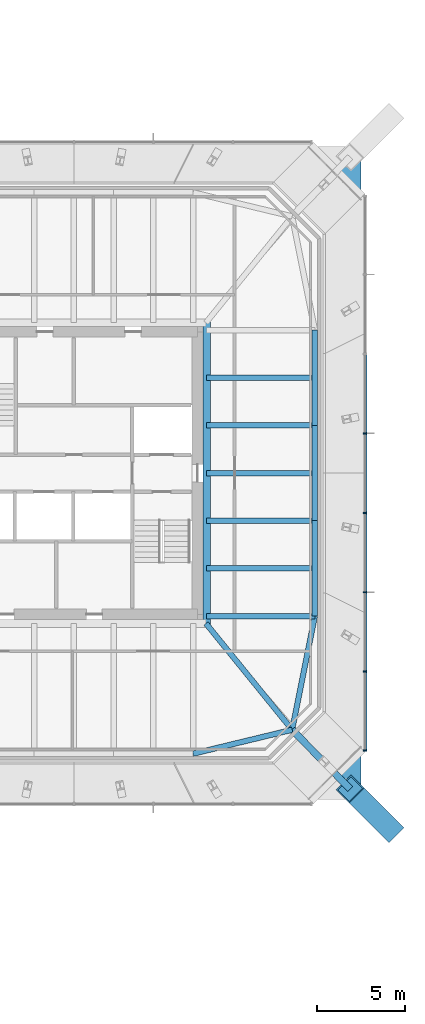
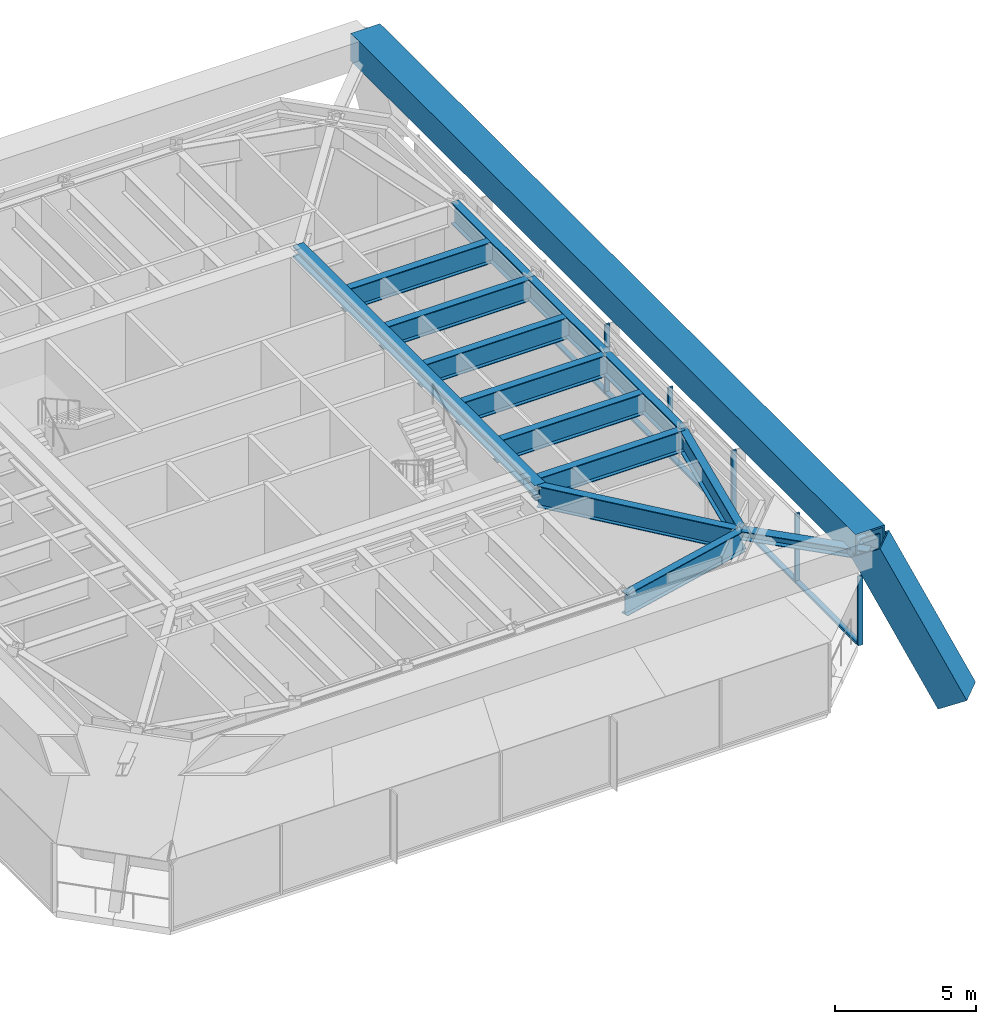
# One storey, part 6 of 16: 13 beams, 13 members, 1 element without a shape of its own.
"""IFC4 building model written with IfcOpenShell, lengths in metres."""

from ifc_helpers import new_model, si_unit, direction, frame, origin, origin_2d, place, context, subcontext, project, spatial, rectangle, hollow_rectangle, i_section, extrude, material, material_profile, profile_set, type_object, element, aggregate, save


model = new_model("IFC4")

# Units and contexts
model_context = context("Model", 3, precision=1e-05, world=origin(), true_north=direction((0.0, 1.0)))
body_context = subcontext(model_context, "Body", "Model", "MODEL_VIEW")
ifc_project = project(units=[si_unit("LENGTHUNIT", "METRE"), si_unit("AREAUNIT", "SQUARE_METRE"), si_unit("VOLUMEUNIT", "CUBIC_METRE"), si_unit("PLANEANGLEUNIT", "RADIAN"), si_unit("MASSUNIT", "GRAM", prefix="KILO")], contexts=[model_context])

# Site, building, storey
site_placement = place(None, origin())
site = spatial("IfcSite", under=ifc_project, at=site_placement, CompositionType="ELEMENT")
building_placement = place(site_placement, origin())
building = spatial("IfcBuilding", under=site, at=building_placement, Name="Iwan Alto Co-Living Towers", CompositionType="ELEMENT")
storey_placement = place(building_placement, frame((0.0, 0.0, 74.5)))
storey = spatial("IfcBuildingStorey", under=building, at=storey_placement, Name="L20", CompositionType="ELEMENT", Elevation=74.5)

# Curtain wall, members
ifc_material_1 = material(Name="Bronze aluminium unitised frame", Category="aluminium")
curtain_wall_type = type_object("IfcCurtainWallType", Name="CURTAIN WALL CW-C", PredefinedType="NOTDEFINED", material=ifc_material_1)
curtain_wall_placement = place(storey_placement, origin())
curtain_wall = element("IfcCurtainWall", 1, at=curtain_wall_placement, inside=storey, type_object=curtain_wall_type, Name="T2 curtain wall E L20", PredefinedType="NOTDEFINED")
ifc_material_2 = material(Name="Aluminium 6063-T6 bronze anodised", Category="aluminium")
ifc_material_profile_1 = material_profile(ifc_material_2, rectangle(XDim=0.199951171875, YDim=0.080078125, at=origin_2d()), Name="AL 80X200")
ifc_profile_set_1 = profile_set([ifc_material_profile_1], Name="Aluminium 6063-T6 bronze anodised")
member_type_1 = type_object("IfcMemberType", Name="CW-C MULLION 80X200", PredefinedType="MULLION", material=ifc_profile_set_1)
member_1_placement = place(storey_placement, frame((79.5, -15.7099609375, 0.0), z_axis=(0.0, 0.0, 1.0), x_axis=(-1.0, 0.0, 0.0)))
member_1 = element("IfcMember", 2, at=member_1_placement, type_object=member_type_1, Name="CW-C mullion 1", PredefinedType="MULLION", context=body_context, shape_type="SweptSolid", body=[
    extrude(rectangle(XDim=0.199951171875, YDim=0.080078125, at=origin_2d()), origin(), (0.0, 0.0, 1.0), 3.0),
])
member_2_placement = place(storey_placement, frame((79.5, -11.25, 0.0), z_axis=(0.0, 0.0, 1.0), x_axis=(-1.0, 0.0, 0.0)))
member_2 = element("IfcMember", 3, at=member_2_placement, type_object=member_type_1, Name="CW-C mullion 2", PredefinedType="MULLION", context=body_context, shape_type="SweptSolid", body=[
    extrude(rectangle(XDim=0.199951171875, YDim=0.080078125, at=origin_2d()), origin(), (0.0, 0.0, 1.0), 3.0),
])
member_3_placement = place(storey_placement, frame((79.5, -6.75, 0.0), z_axis=(0.0, 0.0, 1.0), x_axis=(-1.0, 0.0, 0.0)))
member_3 = element("IfcMember", 4, at=member_3_placement, type_object=member_type_1, Name="CW-C mullion 3", PredefinedType="MULLION", context=body_context, shape_type="SweptSolid", body=[
    extrude(rectangle(XDim=0.199951171875, YDim=0.080078125, at=origin_2d()), origin(), (0.0, 0.0, 1.0), 3.0),
])
member_4_placement = place(storey_placement, frame((79.5, -2.25, 0.0), z_axis=(0.0, 0.0, 1.0), x_axis=(-1.0, 0.0, 0.0)))
member_4 = element("IfcMember", 5, at=member_4_placement, type_object=member_type_1, Name="CW-C mullion 4", PredefinedType="MULLION", context=body_context, shape_type="SweptSolid", body=[
    extrude(rectangle(XDim=0.199951171875, YDim=0.080078125, at=origin_2d()), origin(), (0.0, 0.0, 1.0), 3.0),
])
member_5_placement = place(storey_placement, frame((79.5, 2.25, 0.0), z_axis=(0.0, 0.0, 1.0), x_axis=(-1.0, 0.0, 0.0)))
member_5 = element("IfcMember", 6, at=member_5_placement, type_object=member_type_1, Name="CW-C mullion 5", PredefinedType="MULLION", context=body_context, shape_type="SweptSolid", body=[
    extrude(rectangle(XDim=0.199951171875, YDim=0.080078125, at=origin_2d()), origin(), (0.0, 0.0, 1.0), 3.0),
])
ifc_material_3 = material(Name="Aluminium 6063-T6 bronze anodised", Category="aluminium")
ifc_material_profile_2 = material_profile(ifc_material_3, rectangle(XDim=0.199951171875, YDim=0.10009765625, at=origin_2d()), Name="AL 200X100")
ifc_profile_set_2 = profile_set([ifc_material_profile_2], Name="Aluminium 6063-T6 bronze anodised")
member_type_2 = type_object("IfcMemberType", Name="CW-C TRANSOM 200X100", PredefinedType="USERDEFINED", material=ifc_profile_set_2)
member_6_placement = place(storey_placement, frame((79.5, -15.669921875, 0.050048828125), z_axis=(0.0, 1.0, 0.0), x_axis=(-1.0, 0.0, 0.0)))
member_6 = element("IfcMember", 7, at=member_6_placement, type_object=member_type_2, Name="CW-C transom 1.1", ObjectType="TRANSOM", PredefinedType="USERDEFINED", context=body_context, shape_type="SweptSolid", body=[
    extrude(rectangle(XDim=0.199951171875, YDim=0.10009765625, at=origin_2d()), origin(), (0.0, 0.0, 1.0), 4.3798828125),
])
member_7_placement = place(storey_placement, frame((79.5, -11.2099609375, 0.050048828125), z_axis=(0.0, 1.0, 0.0), x_axis=(-1.0, 0.0, 0.0)))
member_7 = element("IfcMember", 8, at=member_7_placement, type_object=member_type_2, Name="CW-C transom 2.1", ObjectType="TRANSOM", PredefinedType="USERDEFINED", context=body_context, shape_type="SweptSolid", body=[
    extrude(rectangle(XDim=0.199951171875, YDim=0.10009765625, at=origin_2d()), origin(), (0.0, 0.0, 1.0), 4.419921875),
])
member_8_placement = place(storey_placement, frame((79.5, -6.7099609375, 0.050048828125), z_axis=(0.0, 1.0, 0.0), x_axis=(-1.0, 0.0, 0.0)))
member_8 = element("IfcMember", 9, at=member_8_placement, type_object=member_type_2, Name="CW-C transom 3.1", ObjectType="TRANSOM", PredefinedType="USERDEFINED", context=body_context, shape_type="SweptSolid", body=[
    extrude(rectangle(XDim=0.199951171875, YDim=0.10009765625, at=origin_2d()), origin(), (0.0, 0.0, 1.0), 4.419921875),
])
member_9_placement = place(storey_placement, frame((79.5, -2.2099609375, 0.050048828125), z_axis=(0.0, 1.0, 0.0), x_axis=(-1.0, 0.0, 0.0)))
member_9 = element("IfcMember", 10, at=member_9_placement, type_object=member_type_2, Name="CW-C transom 4.1", ObjectType="TRANSOM", PredefinedType="USERDEFINED", context=body_context, shape_type="SweptSolid", body=[
    extrude(rectangle(XDim=0.199951171875, YDim=0.10009765625, at=origin_2d()), origin(), (0.0, 0.0, 1.0), 4.419921875),
])
member_10_placement = place(storey_placement, frame((79.5, 2.2900390625, 0.050048828125), z_axis=(0.0, 1.0, 0.0), x_axis=(-1.0, 0.0, 0.0)))
member_10 = element("IfcMember", 11, at=member_10_placement, type_object=member_type_2, Name="CW-C transom 5.1", ObjectType="TRANSOM", PredefinedType="USERDEFINED", context=body_context, shape_type="SweptSolid", body=[
    extrude(rectangle(XDim=0.199951171875, YDim=0.10009765625, at=origin_2d()), origin(), (0.0, 0.0, 1.0), 4.419921875),
])
aggregate(curtain_wall, [member_1, member_2, member_3, member_4, member_5, member_6, member_7, member_8, member_9, member_10])

# Beams
ifc_material_4 = material(Name="Steel ASTM A992 Gr 50", Category="steel")
ifc_material_profile_3 = material_profile(ifc_material_4, i_section(OverallWidth=0.436767578125, OverallDepth=0.51318359375, WebThickness=0.060546875, FlangeThickness=0.096923828125, at=origin_2d()), Name="W14X550")
ifc_profile_set_3 = profile_set([ifc_material_profile_3], Name="Steel ASTM A992 Gr 50")
beam_type_1 = type_object("IfcBeamType", Name="T2 CORE LEDGER BEAM W14X550", PredefinedType="BEAM", material=ifc_profile_set_3)
beam_1_placement = place(storey_placement, frame((70.5185546875, -8.5693359375, 5.513427734375), z_axis=(0.0, 1.0, 0.0), x_axis=(-1.0, 0.0, 0.0)))
element("IfcBeam", 12, at=beam_1_placement, inside=storey, type_object=beam_type_1, Name="T2 core ledger beam E L21", PredefinedType="BEAM", context=body_context, shape_type="SweptSolid", body=[
    extrude(i_section(OverallWidth=0.436767578125, OverallDepth=0.51318359375, WebThickness=0.060546875, FlangeThickness=0.096923828125, at=origin_2d()), origin(), (0.0, 0.0, 1.0), 17.138671875),
])
ifc_material_5 = material(Name="Steel ASTM A992 Gr 50", Category="steel")
ifc_material_profile_4 = material_profile(ifc_material_5, i_section(OverallWidth=0.307373046875, OverallDepth=0.927001953125, WebThickness=0.01953125, FlangeThickness=0.031982421875, at=origin_2d()), Name="W36X194")
ifc_profile_set_4 = profile_set([ifc_material_profile_4], Name="Steel ASTM A992 Gr 50")
beam_type_2 = type_object("IfcBeamType", Name="T2 CORNER GIRDER W36X194", PredefinedType="BEAM", material=ifc_profile_set_4)
beam_2_placement = place(storey_placement, frame((75.361328125, -14.542724609375, 5.306396484375), z_axis=(-0.629787584927, 0.776767402683, 0.0), x_axis=(-0.776767402683, -0.629787584927, 0.0)))
element("IfcBeam", 13, at=beam_2_placement, inside=storey, type_object=beam_type_2, Name="T2 corner girder CSE L21", PredefinedType="BEAM", context=body_context, shape_type="SweptSolid", body=[
    extrude(i_section(OverallWidth=0.307373046875, OverallDepth=0.927001953125, WebThickness=0.01953125, FlangeThickness=0.031982421875, at=origin_2d()), origin(), (0.0, 0.0, 1.0), 7.75537109375),
])
ifc_material_6 = material(Name="Steel ASTM A992 Gr 50", Category="steel")
ifc_material_profile_5 = material_profile(ifc_material_6, i_section(OverallWidth=0.307373046875, OverallDepth=0.927001953125, WebThickness=0.01953125, FlangeThickness=0.031982421875, at=origin_2d()), Name="W36X194")
ifc_profile_set_5 = profile_set([ifc_material_profile_5], Name="Steel ASTM A992 Gr 50")
beam_type_3 = type_object("IfcBeamType", Name="T2 EDGE BEAM W36X194", PredefinedType="BEAM", material=ifc_profile_set_5)
beam_3_placement = place(storey_placement, frame((69.75, -15.89990234375, 5.306396484375), z_axis=(0.971974673138, 0.235085590323, 0.0), x_axis=(-0.235085590323, 0.971974673138, 0.0)))
element("IfcBeam", 14, at=beam_3_placement, inside=storey, type_object=beam_type_3, Name="T2 edge beam S4 L21", PredefinedType="BEAM", context=body_context, shape_type="SweptSolid", body=[
    extrude(i_section(OverallWidth=0.307373046875, OverallDepth=0.927001953125, WebThickness=0.01953125, FlangeThickness=0.031982421875, at=origin_2d()), origin(), (0.0, 0.0, 1.0), 5.773193359375),
])
beam_4_placement = place(storey_placement, frame((75.361328125, -14.542724609375, 5.306396484375), z_axis=(0.196123281025, 0.980579246487, 0.0), x_axis=(-0.980579246487, 0.196123281025, 0.0)))
element("IfcBeam", 15, at=beam_4_placement, inside=storey, type_object=beam_type_3, Name="T2 edge beam CSE L21", PredefinedType="BEAM", context=body_context, shape_type="SweptSolid", body=[
    extrude(i_section(OverallWidth=0.307373046875, OverallDepth=0.927001953125, WebThickness=0.01953125, FlangeThickness=0.031982421875, at=origin_2d()), origin(), (0.0, 0.0, 1.0), 6.5703125),
])
beam_5_placement = place(storey_placement, frame((76.64990234375, -8.10009765625, 5.306396484375), z_axis=(0.0, 1.0, 0.0), x_axis=(-1.0, 0.0, 0.0)))
element("IfcBeam", 16, at=beam_5_placement, inside=storey, type_object=beam_type_3, Name="T2 edge beam E1 L21", PredefinedType="BEAM", context=body_context, shape_type="SweptSolid", body=[
    extrude(i_section(OverallWidth=0.307373046875, OverallDepth=0.927001953125, WebThickness=0.01953125, FlangeThickness=0.031982421875, at=origin_2d()), origin(), (0.0, 0.0, 1.0), 5.400146484375),
])
beam_6_placement = place(storey_placement, frame((76.64990234375, -2.699951171875, 5.306396484375), z_axis=(0.0, 1.0, 0.0), x_axis=(-1.0, 0.0, 0.0)))
element("IfcBeam", 17, at=beam_6_placement, inside=storey, type_object=beam_type_3, Name="T2 edge beam E2 L21", PredefinedType="BEAM", context=body_context, shape_type="SweptSolid", body=[
    extrude(i_section(OverallWidth=0.307373046875, OverallDepth=0.927001953125, WebThickness=0.01953125, FlangeThickness=0.031982421875, at=origin_2d()), origin(), (0.0, 0.0, 1.0), 5.39990234375),
])
beam_7_placement = place(storey_placement, frame((76.64990234375, 2.699951171875, 5.306396484375), z_axis=(0.0, 1.0, 0.0), x_axis=(-1.0, 0.0, 0.0)))
element("IfcBeam", 18, at=beam_7_placement, inside=storey, type_object=beam_type_3, Name="T2 edge beam E3 L21", PredefinedType="BEAM", context=body_context, shape_type="SweptSolid", body=[
    extrude(i_section(OverallWidth=0.307373046875, OverallDepth=0.927001953125, WebThickness=0.01953125, FlangeThickness=0.031982421875, at=origin_2d()), origin(), (0.0, 0.0, 1.0), 5.400146484375),
])

# Members
ifc_material_7 = material(Name="Steel ASTM A572 Gr 50", Category="steel")
ifc_material_profile_6 = material_profile(ifc_material_7, hollow_rectangle(XDim=1.199951171875, YDim=1.199951171875, WallThickness=0.070068359375, at=origin_2d()), Name="BOX 1200X1200X70")
ifc_profile_set_6 = profile_set([ifc_material_profile_6], Name="Steel ASTM A572 Gr 50")
member_type_3 = type_object("IfcMemberType", Name="T2 MEGA BELT TIE BOX 1200X1200X70", PredefinedType="STRUT", material=ifc_profile_set_6)
member_11_placement = place(storey_placement, frame((78.64990234375, -17.89990234375, 6.0), z_axis=(0.0, 1.0, 0.0), x_axis=(-1.0, 0.0, 0.0)))
element("IfcMember", 19, at=member_11_placement, inside=storey, type_object=member_type_3, Name="T2 mega belt tie E L21", PredefinedType="STRUT", context=body_context, shape_type="SweptSolid", body=[
    extrude(hollow_rectangle(XDim=1.199951171875, YDim=1.199951171875, WallThickness=0.070068359375, at=origin_2d()), origin(), (0.0, 0.0, 1.0), 35.7998046875),
])
ifc_material_8 = material(Name="Steel ASTM A992 Gr 50", Category="steel")
ifc_material_profile_7 = material_profile(ifc_material_8, i_section(OverallWidth=0.393798828125, OverallDepth=0.3759765625, WebThickness=0.017333984375, FlangeThickness=0.027587890625, at=origin_2d()), Name="W14X145")
ifc_profile_set_7 = profile_set([ifc_material_profile_7], Name="Steel ASTM A992 Gr 50")
member_type_4 = type_object("IfcMemberType", Name="T2 MEGA COLUMN FLOOR TIE W14X145", PredefinedType="STRUT", material=ifc_profile_set_7)
member_12_placement = place(storey_placement, frame((78.64990234375, -17.89990234375, 5.58203125), z_axis=(-0.699770096147, 0.714368121166, 0.0), x_axis=(-0.714368121166, -0.699770096147, 0.0)))
element("IfcMember", 20, at=member_12_placement, inside=storey, type_object=member_type_4, Name="T2 mega column floor tie SE L21", PredefinedType="STRUT", context=body_context, shape_type="SweptSolid", body=[
    extrude(i_section(OverallWidth=0.393798828125, OverallDepth=0.3759765625, WebThickness=0.017333984375, FlangeThickness=0.027587890625, at=origin_2d()), origin(), (0.0, 0.0, 1.0), 4.699462890625),
])

# Beams
ifc_material_9 = material(Name="Steel ASTM A992 Gr 50", Category="steel")
ifc_material_profile_8 = material_profile(ifc_material_9, i_section(OverallWidth=0.307373046875, OverallDepth=0.927001953125, WebThickness=0.01953125, FlangeThickness=0.031982421875, at=origin_2d()), Name="W36X194")
ifc_profile_set_8 = profile_set([ifc_material_profile_8], Name="Steel ASTM A992 Gr 50")
beam_type_4 = type_object("IfcBeamType", Name="T2 RADIAL BEAM W36X194", PredefinedType="BEAM", material=ifc_profile_set_8)
for number, where, z_axis, x_axis, name in (
    (21, (76.64990234375, -8.10009765625, 5.306396484375), (-1.0, 0.0, 0.0), (0.0, -1.0, 0.0), "T2 radial beam E1 L21"),
    (22, (76.64990234375, -2.699951171875, 5.306396484375), (-1.0, 0.0, 0.0), (0.0, -1.0, 0.0), "T2 radial beam E2 L21"),
    (23, (76.64990234375, 2.699951171875, 5.306396484375), (-1.0, 0.0, 0.0), (0.0, -1.0, 0.0), "T2 radial beam E3 L21"),
):
    element("IfcBeam", number, at=place(storey_placement, frame(where, z_axis=z_axis, x_axis=x_axis)), inside=storey, type_object=beam_type_4, Name=name, PredefinedType="BEAM", context=body_context, shape_type="SweptSolid", body=[
        extrude(i_section(OverallWidth=0.307373046875, OverallDepth=0.927001953125, WebThickness=0.01953125, FlangeThickness=0.031982421875, at=origin_2d()), origin(), (0.0, 0.0, 1.0), 6.13134765625),
    ])

# Member
ifc_material_10 = material(Name="Steel ASTM A572 Gr 50", Category="steel")
ifc_material_profile_9 = material_profile(ifc_material_10, hollow_rectangle(XDim=1.199951171875, YDim=1.199951171875, WallThickness=0.070068359375, at=origin_2d()), Name="BOX 1200X1200X70")
ifc_profile_set_9 = profile_set([ifc_material_profile_9], Name="Steel ASTM A572 Gr 50")
member_type_5 = type_object("IfcMemberType", Name="T2 RAKING MEGA COLUMN BOX 1200X1200X70", PredefinedType="MEMBER", material=ifc_profile_set_9)
member_13_placement = place(storey_placement, frame((80.89990234375, -20.14990234375, 0.0), z_axis=(-0.331294578225, 0.331294578225, 0.883452208599), x_axis=(-0.707106781187, -0.707106781187, 0.0)))
element("IfcMember", 24, at=member_13_placement, inside=storey, type_object=member_type_5, Name="T2 raking mega column SE L20", PredefinedType="MEMBER", context=body_context, shape_type="SweptSolid", body=[
    extrude(hollow_rectangle(XDim=1.199951171875, YDim=1.199951171875, WallThickness=0.070068359375, at=origin_2d()), origin(), (0.0, 0.0, 1.0), 6.79150390625),
])

# Beams
ifc_material_11 = material(Name="Steel ASTM A992 Gr 50", Category="steel")
ifc_material_profile_10 = material_profile(ifc_material_11, i_section(OverallWidth=0.307373046875, OverallDepth=0.927001953125, WebThickness=0.01953125, FlangeThickness=0.031982421875, at=origin_2d()), Name="W36X194")
ifc_profile_set_10 = profile_set([ifc_material_profile_10], Name="Steel ASTM A992 Gr 50")
beam_type_5 = type_object("IfcBeamType", Name="T2 SECONDARY BEAM W36X194", PredefinedType="JOIST", material=ifc_profile_set_10)
for number, where, z_axis, x_axis, name in (
    (25, (76.64990234375, -5.39990234375, 5.306396484375), (-1.0, 0.0, 0.0), (0.0, -1.0, 0.0), "T2 secondary beam E1 L21"),
    (26, (76.64990234375, 0.0, 5.306396484375), (-1.0, 0.0, 0.0), (0.0, -1.0, 0.0), "T2 secondary beam E2 L21"),
    (27, (76.64990234375, 5.39990234375, 5.306396484375), (-1.0, 0.0, 0.0), (0.0, -1.0, 0.0), "T2 secondary beam E3 L21"),
):
    element("IfcBeam", number, at=place(storey_placement, frame(where, z_axis=z_axis, x_axis=x_axis)), inside=storey, type_object=beam_type_5, Name=name, PredefinedType="JOIST", context=body_context, shape_type="SweptSolid", body=[
        extrude(i_section(OverallWidth=0.307373046875, OverallDepth=0.927001953125, WebThickness=0.01953125, FlangeThickness=0.031982421875, at=origin_2d()), origin(), (0.0, 0.0, 1.0), 6.13134765625),
    ])

save(model, "model.ifc")
